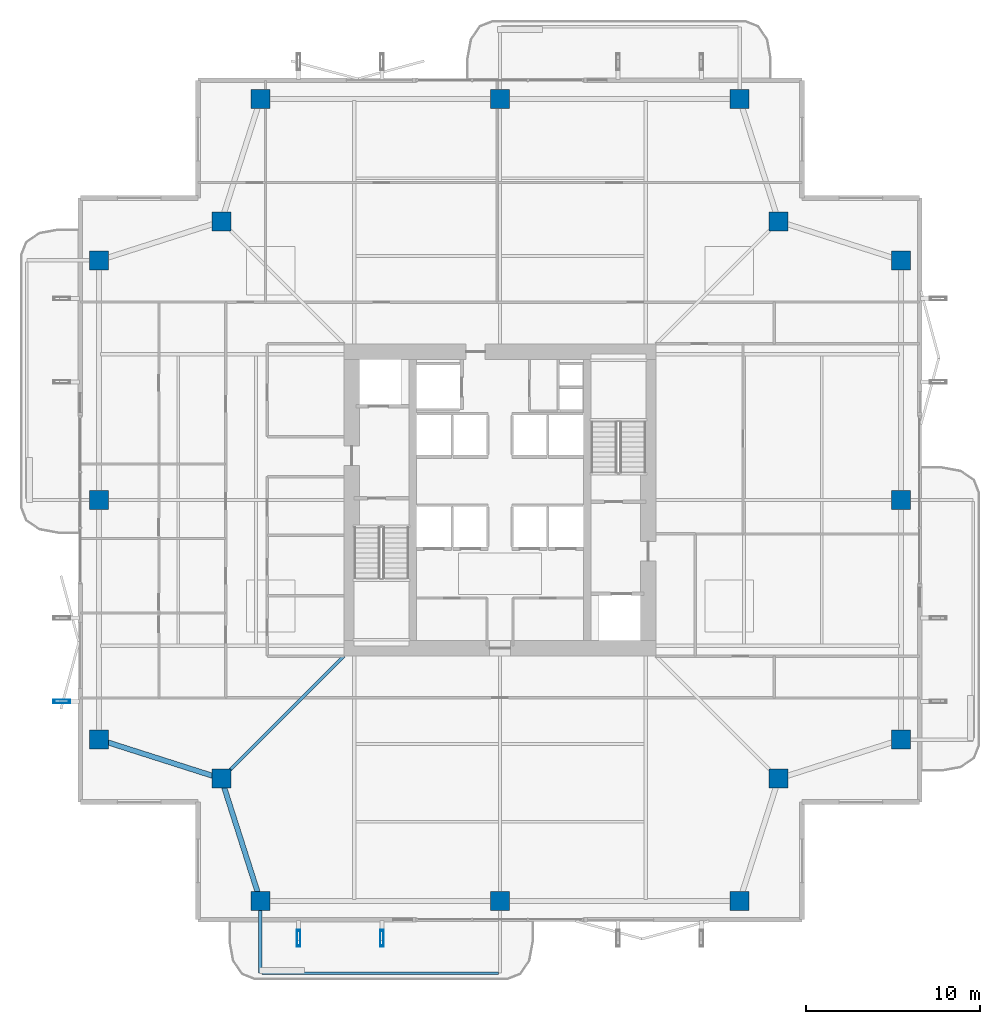
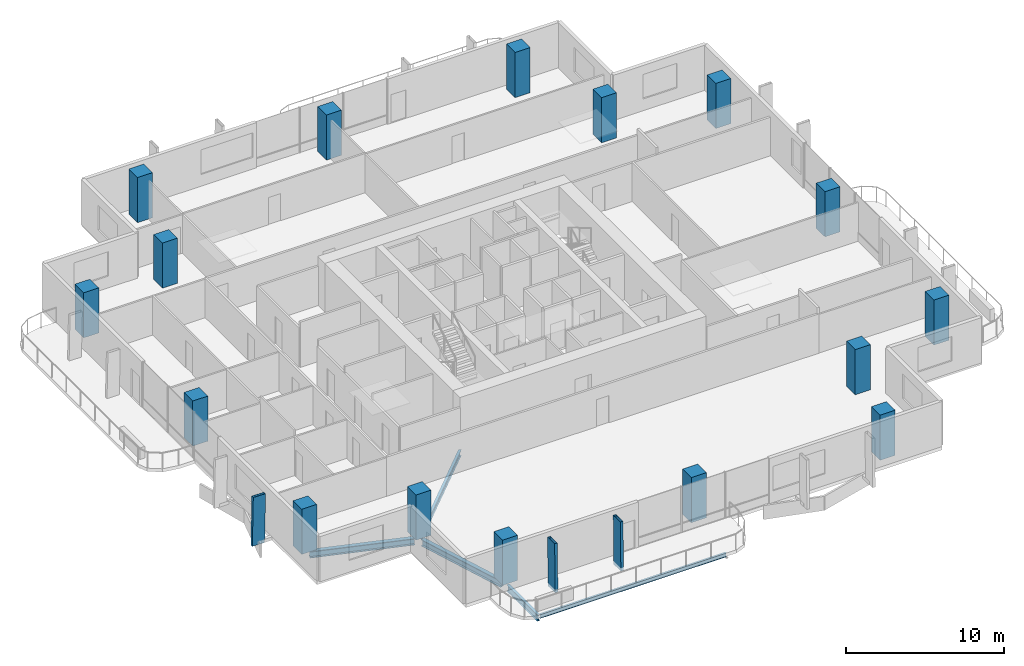
# One storey, part 1 of 25: 16 columns, 5 beams, 3 members.
"""IFC4 building model written with IfcOpenShell, lengths in metres."""

from ifc_helpers import new_model, si_unit, direction, frame, origin, origin_2d, place, context, subcontext, project, spatial, rectangle, hollow_rectangle, i_section, extrude, material, material_profile, profile_set, type_object, element, save


model = new_model("IFC4")

# Units and contexts
model_context = context("Model", 3, precision=1e-05, world=origin(), true_north=direction((0.0, 1.0)))
body_context = subcontext(model_context, "Body", "Model", "MODEL_VIEW")
ifc_project = project(units=[si_unit("LENGTHUNIT", "METRE"), si_unit("AREAUNIT", "SQUARE_METRE"), si_unit("VOLUMEUNIT", "CUBIC_METRE"), si_unit("PLANEANGLEUNIT", "RADIAN"), si_unit("MASSUNIT", "GRAM", prefix="KILO")], contexts=[model_context])

# Site, building, storey
site_placement = place(None, origin())
site = spatial("IfcSite", under=ifc_project, at=site_placement, CompositionType="ELEMENT")
building_placement = place(site_placement, origin())
building = spatial("IfcBuilding", under=site, at=building_placement, Name="Belovzor Exchange Tower", CompositionType="ELEMENT")
storey_placement = place(building_placement, frame((0.0, 0.0, 172.050048828125)))
storey = spatial("IfcBuildingStorey", under=building, at=storey_placement, Name="L42", CompositionType="ELEMENT", Elevation=172.050048828125)

# Columns
ifc_material_1 = material(Name="Concrete C50/60", Category="concrete")
ifc_material_profile_1 = material_profile(ifc_material_1, rectangle(XDim=1.10009765625, YDim=1.10009765625, at=origin_2d()))
ifc_profile_set_1 = profile_set([ifc_material_profile_1], Name="Concrete C50/60")
column_type = type_object("IfcColumnType", Name="Reinforced Concrete Tower Column 1100x1100", PredefinedType="COLUMN", material=ifc_profile_set_1)
for number, where, z_axis, x_axis, name in (
    (1, (15.0, 5.699951171875, 0.0029296875), (0.0, 0.0, 1.0), (1.0, 0.0, 0.0), "COL-T110 Reinforced Concrete Tower Column 1100x1100"),
    (2, (28.800048828125, 5.699951171875, 0.0029296875), (0.0, 0.0, 1.0), (1.0, 0.0, 0.0), "COL-T110 Reinforced Concrete Tower Column 1100x1100"),
    (3, (42.60009765625, 5.699951171875, 0.0029296875), (0.0, 0.0, 1.0), (1.0, 0.0, 0.0), "COL-T110 Reinforced Concrete Tower Column 1100x1100"),
    (4, (51.89990234375, 15.0, 0.0029296875), (0.0, 0.0, 1.0), (1.0, 0.0, 0.0), "COL-T110 Reinforced Concrete Tower Column 1100x1100"),
    (5, (51.89990234375, 28.800048828125, 0.0029296875), (0.0, 0.0, 1.0), (1.0, 0.0, 0.0), "COL-T110 Reinforced Concrete Tower Column 1100x1100"),
    (6, (51.89990234375, 42.60009765625, 0.0029296875), (0.0, 0.0, 1.0), (1.0, 0.0, 0.0), "COL-T110 Reinforced Concrete Tower Column 1100x1100"),
    (7, (42.60009765625, 51.89990234375, 0.0029296875), (0.0, 0.0, 1.0), (1.0, 0.0, 0.0), "COL-T110 Reinforced Concrete Tower Column 1100x1100"),
    (8, (28.800048828125, 51.89990234375, 0.0029296875), (0.0, 0.0, 1.0), (1.0, 0.0, 0.0), "COL-T110 Reinforced Concrete Tower Column 1100x1100"),
    (9, (15.0, 51.89990234375, 0.0029296875), (0.0, 0.0, 1.0), (1.0, 0.0, 0.0), "COL-T110 Reinforced Concrete Tower Column 1100x1100"),
    (10, (5.699951171875, 42.60009765625, 0.0029296875), (0.0, 0.0, 1.0), (1.0, 0.0, 0.0), "COL-T110 Reinforced Concrete Tower Column 1100x1100"),
    (11, (5.699951171875, 28.800048828125, 0.0029296875), (0.0, 0.0, 1.0), (1.0, 0.0, 0.0), "COL-T110 Reinforced Concrete Tower Column 1100x1100"),
    (12, (5.699951171875, 15.0, 0.0029296875), (0.0, 0.0, 1.0), (1.0, 0.0, 0.0), "COL-T110 Reinforced Concrete Tower Column 1100x1100"),
    (13, (12.75, 12.75, 0.0029296875), (0.0, 0.0, 1.0), (1.0, 0.0, 0.0), "COL-T110 Reinforced Concrete Tower Column 1100x1100"),
    (14, (44.85009765625, 12.75, 0.0029296875), (0.0, 0.0, 1.0), (1.0, 0.0, 0.0), "COL-T110 Reinforced Concrete Tower Column 1100x1100"),
    (15, (44.85009765625, 44.85009765625, 0.0029296875), (0.0, 0.0, 1.0), (1.0, 0.0, 0.0), "COL-T110 Reinforced Concrete Tower Column 1100x1100"),
    (16, (12.75, 44.85009765625, 0.0029296875), (0.0, 0.0, 1.0), (1.0, 0.0, 0.0), "COL-T110 Reinforced Concrete Tower Column 1100x1100"),
):
    element("IfcColumn", number, at=place(storey_placement, frame(where, z_axis=z_axis, x_axis=x_axis)), inside=storey, type_object=column_type, Name=name, PredefinedType="COLUMN", context=body_context, shape_type="SweptSolid", body=[
        extrude(rectangle(XDim=1.10009765625, YDim=1.10009765625, at=origin_2d()), origin(), (0.0, 0.0, 1.0), 3.489013671875),
    ])

# Beams
ifc_material_2 = material(Name="Steel S355", Category="steel")
ifc_material_profile_2 = material_profile(ifc_material_2, i_section(OverallWidth=0.199951171875, OverallDepth=0.5, WebThickness=0.01025390625, FlangeThickness=0.01611328125, at=origin_2d()))
ifc_profile_set_2 = profile_set([ifc_material_profile_2], Name="Steel S355")
beam_type_1 = type_object("IfcBeamType", Name="Planted Balcony Cantilever Beam IPE 500", PredefinedType="BEAM", material=ifc_profile_set_2)
beam_1_placement = place(storey_placement, frame((15.0, 5.39697265625, -0.505126953125), z_axis=(0.0, -1.0, 0.0), x_axis=(1.0, 0.0, 0.0)))
element("IfcBeam", 17, at=beam_1_placement, inside=storey, type_object=beam_type_1, Name="BC-500 Planted Balcony Cantilever Beam IPE 500", PredefinedType="BEAM", context=body_context, shape_type="SweptSolid", body=[
    extrude(i_section(OverallWidth=0.199951171875, OverallDepth=0.5, WebThickness=0.01025390625, FlangeThickness=0.01611328125, at=origin_2d()), origin(), (0.0, 0.0, 1.0), 3.849853515625),
])
ifc_material_3 = material(Name="Steel S355", Category="steel")
ifc_material_profile_3 = material_profile(ifc_material_3, i_section(OverallWidth=0.14990234375, OverallDepth=0.300048828125, WebThickness=0.007080078125, FlangeThickness=0.0107421875, at=origin_2d()))
ifc_profile_set_3 = profile_set([ifc_material_profile_3], Name="Steel S355")
beam_type_2 = type_object("IfcBeamType", Name="Planted Balcony Fascia Edge Beam IPE 300", PredefinedType="BEAM", material=ifc_profile_set_3)
beam_2_placement = place(storey_placement, frame((15.10009765625, 1.547119140625, -0.405029296875), z_axis=(1.0, 0.0, 0.0), x_axis=(0.0, 1.0, 0.0)))
element("IfcBeam", 18, at=beam_2_placement, inside=storey, type_object=beam_type_2, Name="BC-300 Planted Balcony Fascia Edge Beam IPE 300", PredefinedType="BEAM", context=body_context, shape_type="SweptSolid", body=[
    extrude(i_section(OverallWidth=0.14990234375, OverallDepth=0.300048828125, WebThickness=0.007080078125, FlangeThickness=0.0107421875, at=origin_2d()), origin(), (0.0, 0.0, 1.0), 13.599853515625),
])

# Members
ifc_material_4 = material(Name="Extruded Architectural Terracotta on Steel S355 Carrier", Category="masonry")
ifc_material_profile_4 = material_profile(ifc_material_4, hollow_rectangle(XDim=0.199951171875, YDim=0.89990234375, WallThickness=0.011962890625, at=origin_2d()))
ifc_profile_set_4 = profile_set([ifc_material_profile_4], Name="Extruded Architectural Terracotta on Steel S355 Carrier")
member_type = type_object("IfcMemberType", Name="Sweeping Terracotta Baguette Fin Assembly 1250", PredefinedType="USERDEFINED", material=ifc_profile_set_4)
for number, where, z_axis, x_axis, name in (
    (19, (17.199951171875, 3.51904296875, -0.255126953125), (0.0, 0.018681635002, 0.999825483029), (-1.0, 0.0, 0.0), "FIN-TC125 Terracotta Facade Fin L42 S1"),
    (20, (3.51904296875, 17.199951171875, -0.255126953125), (0.018681635002, 0.0, 0.999825483029), (0.0, 1.0, 0.0), "FIN-TC125 Terracotta Facade Fin L42 W1"),
    (21, (22.0, 3.51904296875, -0.255126953125), (0.0, 0.018681635002, 0.999825483029), (-1.0, 0.0, 0.0), "FIN-TC125 Terracotta Facade Fin L42 S2"),
):
    element("IfcMember", number, at=place(storey_placement, frame(where, z_axis=z_axis, x_axis=x_axis)), inside=storey, type_object=member_type, Name=name, ObjectType="FIN", PredefinedType="USERDEFINED", context=body_context, shape_type="SweptSolid", body=[
        extrude(hollow_rectangle(XDim=0.199951171875, YDim=0.89990234375, WallThickness=0.011962890625, at=origin_2d()), origin(), (0.0, 0.0, 1.0), 3.750732421875),
    ])

# Beams
ifc_material_5 = material(Name="Steel S355", Category="steel")
ifc_material_profile_5 = material_profile(ifc_material_5, i_section(OverallWidth=0.18994140625, OverallDepth=0.449951171875, WebThickness=0.009521484375, FlangeThickness=0.0146484375, at=origin_2d()))
ifc_profile_set_5 = profile_set([ifc_material_profile_5], Name="Steel S355")
beam_type_3 = type_object("IfcBeamType", Name="Zone 2-4 Radial Composite Floor Beam IPE 450", PredefinedType="BEAM", material=ifc_profile_set_5)
beam_3_placement = place(storey_placement, frame((19.800048828125, 19.800048828125, -0.47998046875), z_axis=(-0.707106781187, -0.707106781187, 0.0), x_axis=(0.707106781187, -0.707106781187, 0.0)))
element("IfcBeam", 22, at=beam_3_placement, inside=storey, type_object=beam_type_3, Name="FB-450 Zone 2-4 Radial Composite Floor Beam IPE 450", PredefinedType="BEAM", context=body_context, shape_type="SweptSolid", body=[
    extrude(i_section(OverallWidth=0.18994140625, OverallDepth=0.449951171875, WebThickness=0.009521484375, FlangeThickness=0.0146484375, at=origin_2d()), origin(), (0.0, 0.0, 1.0), 9.58154296875),
])
ifc_material_6 = material(Name="Steel S355", Category="steel")
ifc_material_profile_6 = material_profile(ifc_material_6, i_section(OverallWidth=0.300048828125, OverallDepth=0.5, WebThickness=0.014404296875, FlangeThickness=0.028076171875, at=origin_2d()))
ifc_profile_set_6 = profile_set([ifc_material_profile_6], Name="Steel S355")
beam_type_4 = type_object("IfcBeamType", Name="Zone 3 Waist Primary Girder HEB 500", PredefinedType="BEAM", material=ifc_profile_set_6)
for number, where, z_axis, x_axis, name in (
    (23, (12.842041015625, 12.4619140625, -0.505126953125), (0.304011730457, -0.952668288411, 0.0), (0.952668288411, 0.304011730457, 0.0), "FG-Z3 Zone 3 Waist Primary Girder HEB 500"),
    (24, (5.988037109375, 14.907958984375, -0.505126953125), (0.952668288411, -0.304011730457, 0.0), (0.304011730457, 0.952668288411, 0.0), "FG-Z3 Zone 3 Waist Primary Girder HEB 500"),
):
    element("IfcBeam", number, at=place(storey_placement, frame(where, z_axis=z_axis, x_axis=x_axis)), inside=storey, type_object=beam_type_4, Name=name, PredefinedType="BEAM", context=body_context, shape_type="SweptSolid", body=[
        extrude(i_section(OverallWidth=0.300048828125, OverallDepth=0.5, WebThickness=0.014404296875, FlangeThickness=0.028076171875, at=origin_2d()), origin(), (0.0, 0.0, 1.0), 6.79541015625),
    ])

save(model, "model.ifc")
